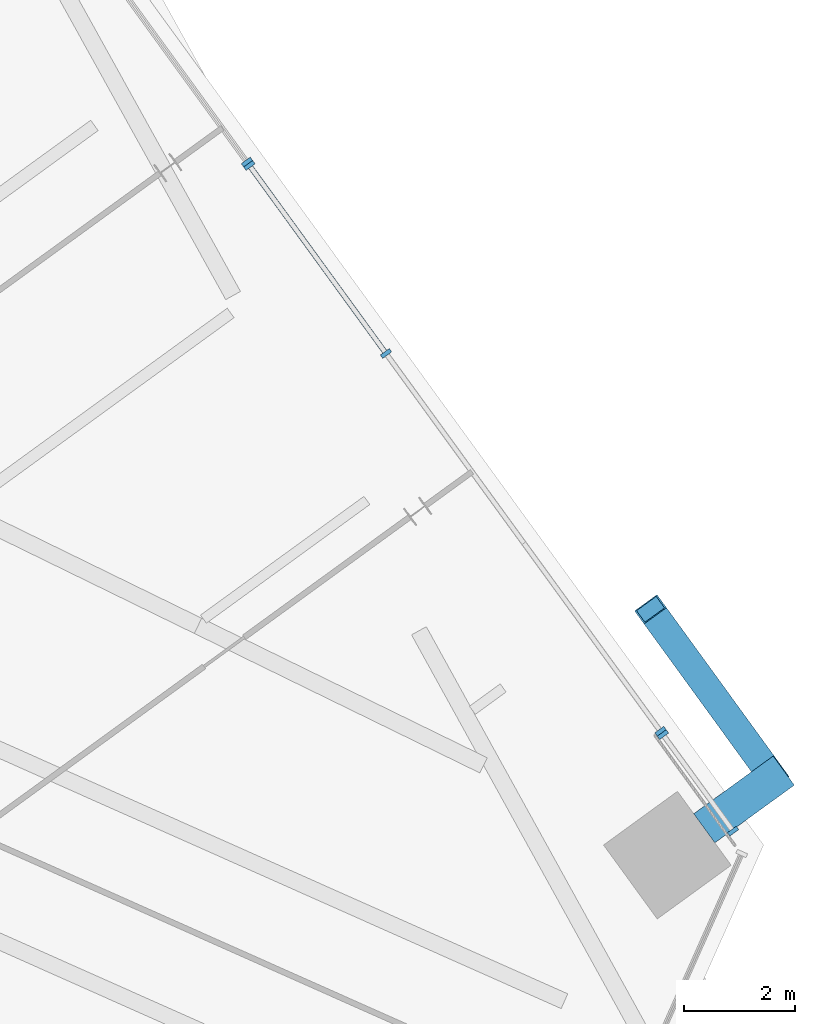
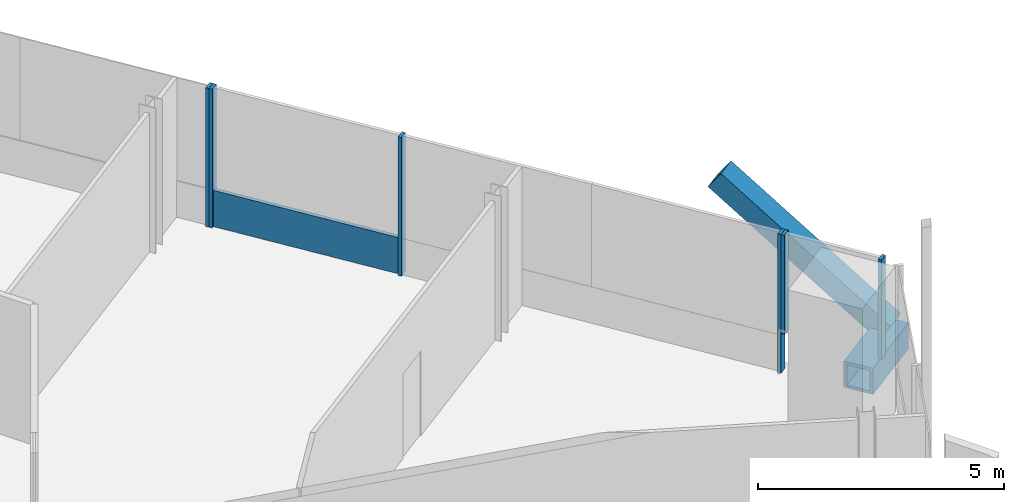
# One storey, part 7 of 21: 9 members, 3 elements without a shape of their own.
"""IFC4 building model written with IfcOpenShell, lengths in metres."""

from ifc_helpers import new_model, si_unit, direction, frame, origin, origin_2d, place, context, subcontext, project, spatial, rectangle, hollow_rectangle, extrude, source, transform, mapped, material, material_profile, profile_set, type_object, element, aggregate, save


model = new_model("IFC4")

# Units and contexts
model_context = context("Model", 3, precision=1e-05, world=origin(), true_north=direction((0.0, 1.0)))
body_context = subcontext(model_context, "Body", "Model", "MODEL_VIEW")
ifc_project = project(units=[si_unit("LENGTHUNIT", "METRE"), si_unit("AREAUNIT", "SQUARE_METRE"), si_unit("VOLUMEUNIT", "CUBIC_METRE"), si_unit("PLANEANGLEUNIT", "RADIAN"), si_unit("MASSUNIT", "GRAM", prefix="KILO")], contexts=[model_context])

# Site, building, storey
site_placement = place(None, origin())
site = spatial("IfcSite", under=ifc_project, at=site_placement, CompositionType="ELEMENT")
building_placement = place(site_placement, origin())
building = spatial("IfcBuilding", under=site, at=building_placement, Name="Triune Harvest Tower", CompositionType="ELEMENT")
storey_placement = place(building_placement, frame((0.0, 0.0, 219.699951171875)))
storey = spatial("IfcBuildingStorey", under=building, at=storey_placement, Name="L57", CompositionType="ELEMENT", Elevation=219.699951171875)

# Members
ifc_material_1 = material(Name="Steel ASTM A572 Gr 50", Category="steel")
ifc_material_profile_1 = material_profile(ifc_material_1, hollow_rectangle(XDim=0.64990234375, YDim=0.64990234375, WallThickness=0.070068359375, at=origin_2d()), Name="Box 650x650x70")
ifc_profile_set_1 = profile_set([ifc_material_profile_1], Name="Steel ASTM A572 Gr 50")
member_type_1 = type_object("IfcMemberType", Name="BS-1 Brace stub Box 650x650x70", PredefinedType="STRUT", material=ifc_profile_set_1)
shared_shape_1 = source(origin(), body_context, "Body", "SweptSolid", [
    extrude(hollow_rectangle(XDim=0.64990234375, YDim=0.64990234375, WallThickness=0.070068359375, at=origin_2d()), origin(), (0.0, 0.0, 1.0), 1.775390625),
])
member_1_placement = place(storey_placement, frame((29.40869140625, -7.110107421875, 0.60009765625), z_axis=(0.80908082328, 0.587697389309, 0.0), x_axis=(-0.587697389309, 0.80908082328, 0.0)))
element("IfcMember", 1, at=member_1_placement, inside=storey, type_object=member_type_1, Name="brace/B6-F1/stub1", PredefinedType="STRUT", context=body_context, shape_type="MappedRepresentation", body=[
    mapped(shared_shape_1, transform((0.0, 0.0, 0.0), scale=1.0)),
])
ifc_material_2 = material(Name="Steel ASTM A572 Gr 50", Category="steel")
ifc_material_profile_2 = material_profile(ifc_material_2, hollow_rectangle(XDim=0.5, YDim=0.5, WallThickness=0.030029296875, at=origin_2d()), Name="Box 500x500x30")
ifc_profile_set_2 = profile_set([ifc_material_profile_2], Name="Steel ASTM A572 Gr 50")
member_type_2 = type_object("IfcMemberType", Name="BR-3 Brace Box 500x500x30", PredefinedType="BRACE", material=ifc_profile_set_2)
shared_shape_2 = source(origin(), body_context, "Body", "SweptSolid", [
    extrude(hollow_rectangle(XDim=0.5, YDim=0.5, WallThickness=0.030029296875, at=origin_2d()), origin(), (0.0, 0.0, 1.0), 4.645263671875),
])
member_2_placement = place(storey_placement, frame((30.655029296875, -6.20458984375, 0.89013671875), z_axis=(-0.477384698778, 0.657080645616, 0.583394270223), x_axis=(-0.809024216088, -0.587775312328, 0.0)))
element("IfcMember", 2, at=member_2_placement, inside=storey, type_object=member_type_2, Name="brace/B6-F1/d1/1", PredefinedType="BRACE", context=body_context, shape_type="MappedRepresentation", body=[
    mapped(shared_shape_2, transform((0.0, 0.0, 0.0), scale=1.0)),
])

# Curtain wall, members
ifc_material_3 = material(Name="Aluminium bronze anodised", Category="aluminium")
curtain_wall_type_1 = type_object("IfcCurtainWallType", Name="CW-7 Tower stick curtain wall with insulated spandrel infill", PredefinedType="NOTDEFINED", material=ifc_material_3)
curtain_wall_1_placement = place(storey_placement, origin())
curtain_wall_1 = element("IfcCurtainWall", 3, at=curtain_wall_1_placement, inside=storey, type_object=curtain_wall_type_1, Name="CW-7 B6-F1 L57 run 1")
ifc_material_4 = material(Name="Aluminium bronze anodised", Category="aluminium")
ifc_material_profile_3 = material_profile(ifc_material_4, rectangle(XDim=0.199951171875, YDim=0.074951171875, at=origin_2d()), Name="MU-1 mullion 75 x 200")
ifc_profile_set_3 = profile_set([ifc_material_profile_3], Name="Aluminium bronze anodised")
member_type_3 = type_object("IfcMemberType", Name="MU-1 mullion 75 x 200", PredefinedType="MULLION", material=ifc_profile_set_3)
shared_shape_3 = source(origin(), body_context, "Body", "SweptSolid", [
    extrude(rectangle(XDim=0.199951171875, YDim=0.074951171875, at=origin_2d()), origin(), (0.0, 0.0, 1.0), 2.454833984375),
])
member_3_placement = place(storey_placement, frame((29.928955078125, -7.161865234375, 0.985107421875), z_axis=(0.0, 0.0, 1.0), x_axis=(-0.809001486171, -0.587806596912, 0.0)))
member_3 = element("IfcMember", 4, at=member_3_placement, type_object=member_type_3, Name="CW-7 mullion B6-F1 1.1", PredefinedType="MULLION", context=body_context, shape_type="MappedRepresentation", body=[
    mapped(shared_shape_3, transform((0.0, 0.0, 0.0), scale=1.0)),
])
member_4_placement = place(storey_placement, frame((28.661376953125, -5.417236328125, 0.985107421875), z_axis=(0.0, 0.0, 1.0), x_axis=(-0.809001486171, -0.587806596912, 0.0)))
member_4 = element("IfcMember", 5, at=member_4_placement, type_object=member_type_3, Name="CW-7 mullion B6-F1 1.2", PredefinedType="MULLION", context=body_context, shape_type="MappedRepresentation", body=[
    mapped(shared_shape_3, transform((0.0, 0.0, 0.0), scale=1.0)),
])
aggregate(curtain_wall_1, [member_3, member_4])

curtain_wall_2_placement = place(storey_placement, origin())
curtain_wall_2 = element("IfcCurtainWall", 6, at=curtain_wall_2_placement, inside=storey, type_object=curtain_wall_type_1, Name="CW-7 B6-F1 L57 run 101")
shared_shape_4 = source(origin(), body_context, "Body", "SweptSolid", [
    extrude(rectangle(XDim=0.199951171875, YDim=0.074951171875, at=origin_2d()), origin(), (0.0, 0.0, 1.0), 3.43994140625),
])
member_5_placement = place(storey_placement, frame((28.617431640625, -5.3564453125, 0.0), z_axis=(0.0, 0.0, 1.0), x_axis=(-0.809014190321, -0.587789111722, 0.0)))
member_5 = element("IfcMember", 7, at=member_5_placement, type_object=member_type_3, Name="CW-7 mullion B6-F1 101.1", PredefinedType="MULLION", context=body_context, shape_type="MappedRepresentation", body=[
    mapped(shared_shape_4, transform((0.0, 0.0, 0.0), scale=1.0)),
])
member_6_placement = place(storey_placement, frame((23.656982421875, 1.470947265625, 0.0), z_axis=(0.0, 0.0, 1.0), x_axis=(-0.809014190321, -0.587789111722, 0.0)))
member_6 = element("IfcMember", 8, at=member_6_placement, type_object=member_type_3, Name="CW-7 mullion B6-F1 101.3", PredefinedType="MULLION", context=body_context, shape_type="MappedRepresentation", body=[
    mapped(shared_shape_4, transform((0.0, 0.0, 0.0), scale=1.0)),
])
member_7_placement = place(storey_placement, frame((21.187744140625, 4.86962890625, 0.0), z_axis=(0.0, 0.0, 1.0), x_axis=(-0.809014190321, -0.587789111722, 0.0)))
member_7 = element("IfcMember", 9, at=member_7_placement, type_object=member_type_3, Name="CW-7 mullion B6-F1 101.4", PredefinedType="MULLION", context=body_context, shape_type="MappedRepresentation", body=[
    mapped(shared_shape_4, transform((0.0, 0.0, 0.0), scale=1.0)),
])

# Curtain wall, member
ifc_material_5 = material(Name="Aluminium bronze anodised", Category="aluminium")
curtain_wall_type_2 = type_object("IfcCurtainWallType", Name="CW-1 Tower stick curtain wall", PredefinedType="NOTDEFINED", material=ifc_material_5)
curtain_wall_3_placement = place(storey_placement, origin())
curtain_wall_3 = element("IfcCurtainWall", 10, at=curtain_wall_3_placement, inside=storey, type_object=curtain_wall_type_2, Name="CW-1 B6-F1 L57 run 1101")
member_8_placement = place(storey_placement, frame((21.1435546875, 4.93017578125, 0.0), z_axis=(0.0, 0.0, 1.0), x_axis=(-0.809020903027, -0.587779872457, 0.0)))
member_8 = element("IfcMember", 11, at=member_8_placement, type_object=member_type_3, Name="CW-1 mullion B6-F1 1101.1", PredefinedType="MULLION", context=body_context, shape_type="MappedRepresentation", body=[
    mapped(shared_shape_4, transform((0.0, 0.0, 0.0), scale=1.0)),
])
aggregate(curtain_wall_3, [member_8])

# Member
ifc_material_6 = material(Name="Aluminium bronze anodised", Category="aluminium")
ifc_material_profile_4 = material_profile(ifc_material_6, rectangle(XDim=0.090087890625, YDim=0.89990234375, at=origin_2d()), Name="TR-1 transom 90 x 900")
ifc_profile_set_4 = profile_set([ifc_material_profile_4], Name="Aluminium bronze anodised")
member_type_4 = type_object("IfcMemberType", Name="TR-1 transom 90 x 900", PredefinedType="USERDEFINED", material=ifc_profile_set_4)
shared_shape_5 = source(origin(), body_context, "Body", "SweptSolid", [
    extrude(rectangle(XDim=0.090087890625, YDim=0.89990234375, at=origin_2d()), origin(), (0.0, 0.0, 1.0), 4.125732421875),
])
member_9_placement = place(storey_placement, frame((23.634765625, 1.501220703125, 0.449951171875), z_axis=(-0.587774042171, 0.809025138886, 0.0), x_axis=(-0.809025138886, -0.587774042171, 0.0)))
member_9 = element("IfcMember", 12, at=member_9_placement, type_object=member_type_4, Name="CW-7 transom B6-F1 101.2", ObjectType="TRANSOM", PredefinedType="USERDEFINED", context=body_context, shape_type="MappedRepresentation", body=[
    mapped(shared_shape_5, transform((0.0, 0.0, 0.0), scale=1.0)),
])

aggregate(curtain_wall_2, [member_5, member_6, member_7, member_9])

save(model, "model.ifc")
